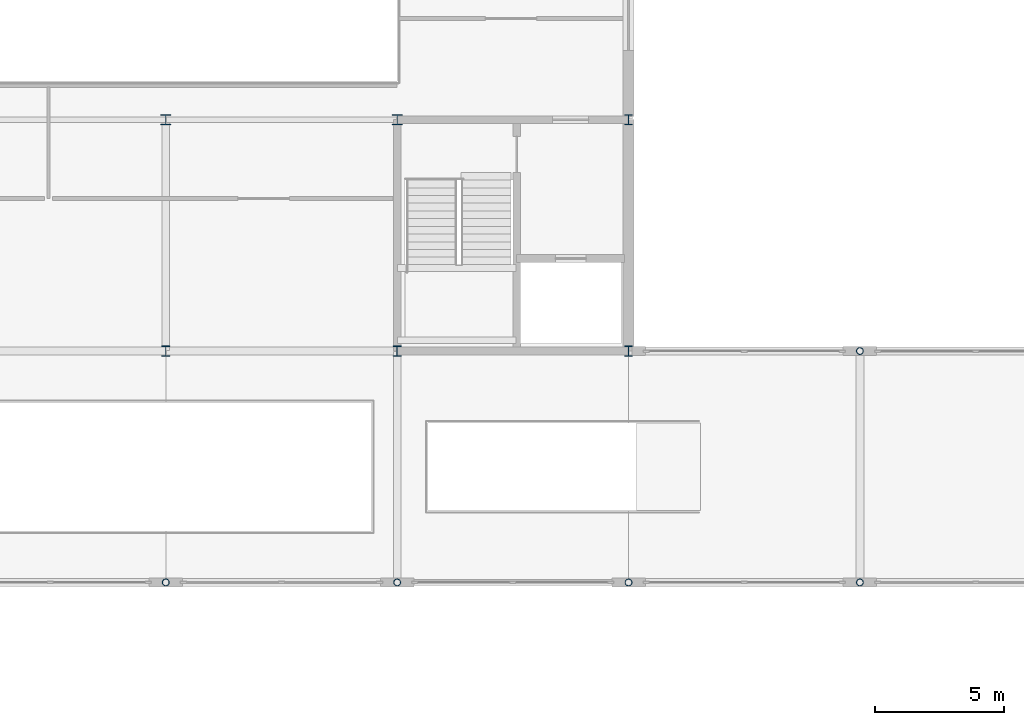
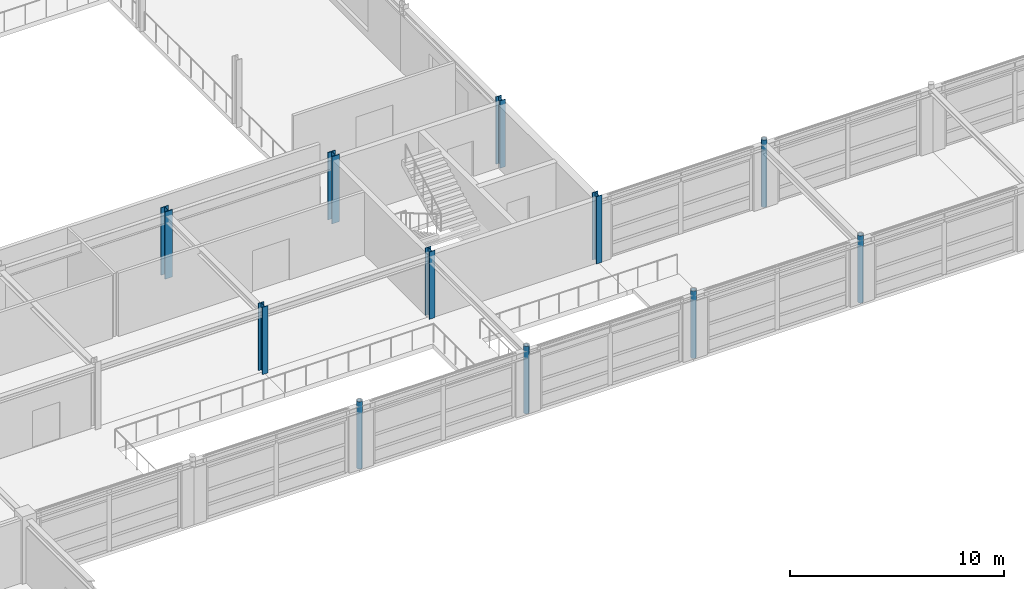
# One storey, part 10 of 79: 11 columns.
"""IFC4 building model written with IfcOpenShell, lengths in metres."""

from ifc_helpers import new_model, si_unit, direction, frame, origin, origin_2d, place, context, subcontext, project, spatial, hollow_circle, i_section, extrude, material, material_profile, profile_set, type_object, element, save


model = new_model("IFC4")

# Units and contexts
model_context = context("Model", 3, precision=1e-05, world=origin(), true_north=direction((0.0, 1.0)))
body_context = subcontext(model_context, "Body", "Model", "MODEL_VIEW")
ifc_project = project(units=[si_unit("LENGTHUNIT", "METRE"), si_unit("AREAUNIT", "SQUARE_METRE"), si_unit("VOLUMEUNIT", "CUBIC_METRE"), si_unit("PLANEANGLEUNIT", "RADIAN"), si_unit("MASSUNIT", "GRAM", prefix="KILO")], contexts=[model_context])

# Site, building, storey
site_placement = place(None, origin())
site = spatial("IfcSite", under=ifc_project, at=site_placement, CompositionType="ELEMENT")
building_placement = place(site_placement, origin())
building = spatial("IfcBuilding", under=site, at=building_placement, Name="Palais des Congres Ocreval", CompositionType="ELEMENT")
storey_placement = place(building_placement, frame((0.0, 0.0, 4.320068359375)))
storey = spatial("IfcBuildingStorey", under=building, at=storey_placement, Name="L01", CompositionType="ELEMENT", Elevation=4.320068359375)

# Columns
ifc_material = material(Name="Steel S355", Category="steel")
ifc_material_profile_1 = material_profile(ifc_material, hollow_circle(Radius=0.136474609375, WallThickness=0.012451171875, at=origin_2d()), Name="CHS 273x12.5")
ifc_profile_set_1 = profile_set([ifc_material_profile_1], Name="Steel S355")
column_type_1 = type_object("IfcColumnType", Name="Column CHS 273x12.5 Steel S355", PredefinedType="COLUMN", material=ifc_profile_set_1)
for number, where, z_axis, x_axis, name in (
    (1, (36.0, 72.0, 0.0), (0.0, 0.0, 1.0), (1.0, 0.0, 0.0), "Column C17 L01"),
    (2, (45.0, 72.0, 0.0), (0.0, 0.0, 1.0), (1.0, 0.0, 0.0), "Column C17 L01"),
    (3, (54.0, 72.0, 0.0), (0.0, 0.0, 1.0), (1.0, 0.0, 0.0), "Column C17 L01"),
    (4, (63.0, 72.0, 0.0), (0.0, 0.0, 1.0), (1.0, 0.0, 0.0), "Column C17 L01"),
    (5, (63.0, 81.0, 0.0), (0.0, 0.0, 1.0), (1.0, 0.0, 0.0), "Column C17 L01"),
):
    element("IfcColumn", number, at=place(storey_placement, frame(where, z_axis=z_axis, x_axis=x_axis)), inside=storey, type_object=column_type_1, Name=name, PredefinedType="COLUMN", context=body_context, shape_type="SweptSolid", body=[
        extrude(hollow_circle(Radius=0.136474609375, WallThickness=0.012451171875, at=origin_2d()), origin(), (0.0, 0.0, 1.0), 3.83984375),
    ])
ifc_material_profile_2 = material_profile(ifc_material, i_section(OverallWidth=0.406005859375, OverallDepth=0.416015625, WebThickness=0.0224609375, FlangeThickness=0.0380859375, at=origin_2d()), Name="HD 400x382")
ifc_profile_set_2 = profile_set([ifc_material_profile_2], Name="Steel S355")
column_type_2 = type_object("IfcColumnType", Name="Column HD 400x382 Steel S355", PredefinedType="COLUMN", material=ifc_profile_set_2)
for number, where, z_axis, x_axis, name in (
    (6, (36.0, 90.0, 0.0), (0.0, 0.0, 1.0), (1.0, 0.0, 0.0), "Column C03 L01"),
    (7, (45.0, 90.0, 0.0), (0.0, 0.0, 1.0), (1.0, 0.0, 0.0), "Column C03 L01"),
):
    element("IfcColumn", number, at=place(storey_placement, frame(where, z_axis=z_axis, x_axis=x_axis)), inside=storey, type_object=column_type_2, Name=name, PredefinedType="COLUMN", context=body_context, shape_type="SweptSolid", body=[
        extrude(i_section(OverallWidth=0.406005859375, OverallDepth=0.416015625, WebThickness=0.0224609375, FlangeThickness=0.0380859375, at=origin_2d()), origin(), (0.0, 0.0, 1.0), 3.83984375),
    ])
ifc_material_profile_3 = material_profile(ifc_material, i_section(OverallWidth=0.300048828125, OverallDepth=0.39990234375, WebThickness=0.013427734375, FlangeThickness=0.02392578125, at=origin_2d()), Name="HEB 400")
ifc_profile_set_3 = profile_set([ifc_material_profile_3], Name="Steel S355")
column_type_3 = type_object("IfcColumnType", Name="Column HEB 400 Steel S355", PredefinedType="COLUMN", material=ifc_profile_set_3)
for number, where, z_axis, x_axis, name in (
    (8, (36.0, 81.0, 0.0), (0.0, 0.0, 1.0), (1.0, 0.0, 0.0), "Column C10 L01"),
    (9, (45.0, 81.0, 0.0), (0.0, 0.0, 1.0), (1.0, 0.0, 0.0), "Column C10 L01"),
    (10, (54.0, 81.0, 0.0), (0.0, 0.0, 1.0), (1.0, 0.0, 0.0), "Column C10 L01"),
    (11, (54.0, 90.0, 0.0), (0.0, 0.0, 1.0), (1.0, 0.0, 0.0), "Column C10 L01"),
):
    element("IfcColumn", number, at=place(storey_placement, frame(where, z_axis=z_axis, x_axis=x_axis)), inside=storey, type_object=column_type_3, Name=name, PredefinedType="COLUMN", context=body_context, shape_type="SweptSolid", body=[
        extrude(i_section(OverallWidth=0.300048828125, OverallDepth=0.39990234375, WebThickness=0.013427734375, FlangeThickness=0.02392578125, at=origin_2d()), origin(), (0.0, 0.0, 1.0), 3.83984375),
    ])

save(model, "model.ifc")
